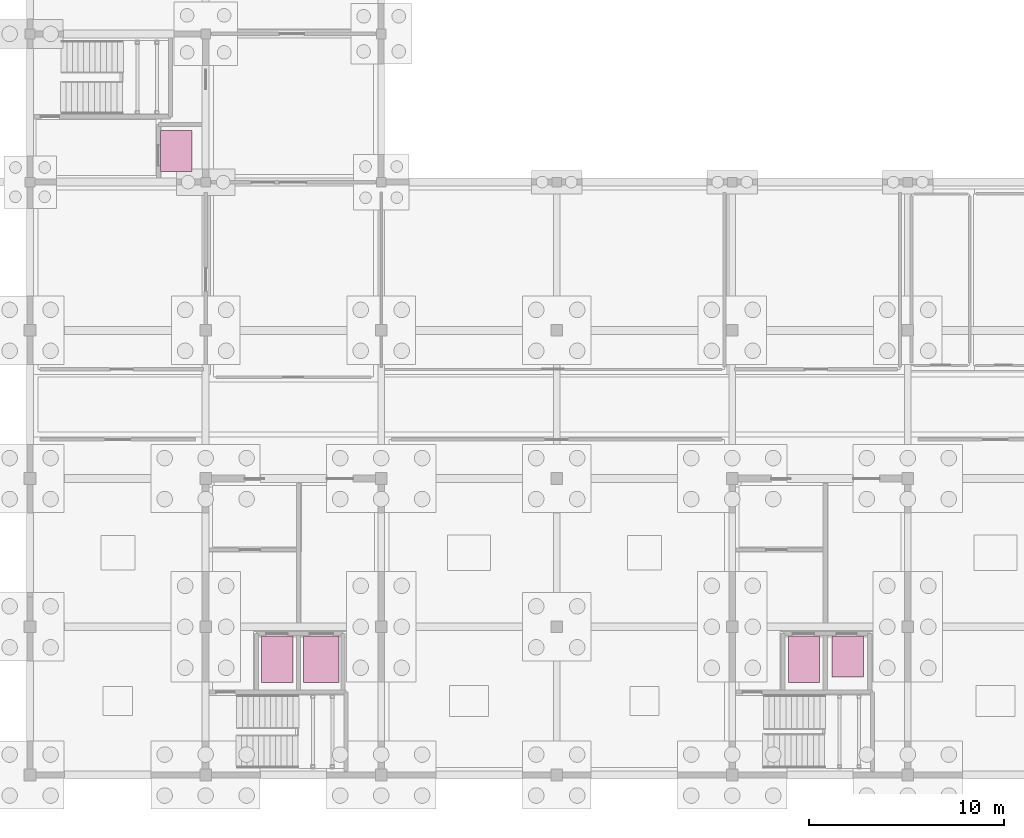
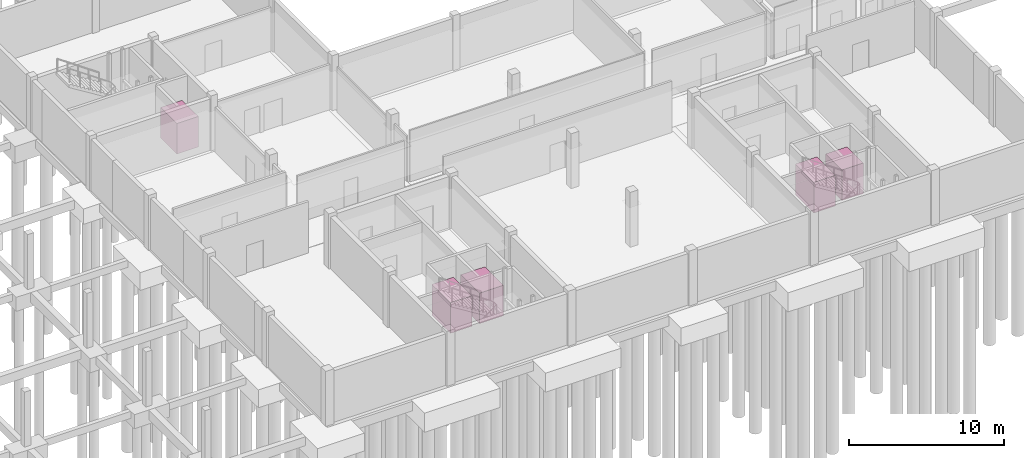
# One storey, part 28 of 28: 5 transport elements.
"""IFC4 building model written with IfcOpenShell, lengths in metres."""

from ifc_helpers import new_model, si_unit, direction, frame, origin, origin_2d, place, context, subcontext, project, spatial, rectangle, extrude, material, type_object, element, save


model = new_model("IFC4")

# Units and contexts
model_context = context("Model", 3, precision=1e-05, world=origin(), true_north=direction((0.0, 1.0)))
body_context = subcontext(model_context, "Body", "Model", "MODEL_VIEW")
ifc_project = project(units=[si_unit("LENGTHUNIT", "METRE"), si_unit("AREAUNIT", "SQUARE_METRE"), si_unit("VOLUMEUNIT", "CUBIC_METRE"), si_unit("PLANEANGLEUNIT", "RADIAN"), si_unit("MASSUNIT", "GRAM", prefix="KILO")], contexts=[model_context])

# Site, building, storey
site_placement = place(None, origin())
site = spatial("IfcSite", under=ifc_project, at=site_placement, CompositionType="ELEMENT")
building_placement = place(site_placement, origin())
building = spatial("IfcBuilding", under=site, at=building_placement, Name="Caisbarro Railhouse Central Library", CompositionType="ELEMENT")
storey_placement = place(building_placement, frame((0.0, 0.0, -4.320068359375)))
storey = spatial("IfcBuildingStorey", under=building, at=storey_placement, Name="B01", CompositionType="ELEMENT", Elevation=-4.320068359375)

# Transport elements
ifc_material = material(Name="Brushed stainless steel elevator cab", Category="steel")
transport_element_type_1 = type_object("IfcTransportElementType", Name="LFT-BK", PredefinedType="ELEVATOR", material=ifc_material)
transport_element_placement = place(storey_placement, frame((68.925048828125, 5.93994140625, 0.0), z_axis=(0.0, 0.0, 1.0), x_axis=(1.0, 0.0, 0.0)))
element("IfcTransportElement", 1, at=transport_element_placement, inside=storey, type_object=transport_element_type_1, Name="Elevator BL-01", PredefinedType="ELEVATOR", context=body_context, shape_type="SweptSolid", body=[
    extrude(rectangle(XDim=1.800048828125, YDim=2.39990234375, at=origin_2d()), origin(), (0.0, 0.0, 1.0), 2.39990234375),
])
transport_element_type_2 = type_object("IfcTransportElementType", Name="LFT-FF", PredefinedType="ELEVATOR", material=ifc_material)
for number, where, z_axis, x_axis, name in (
    (2, (66.675048828125, 5.93994140625, 0.0), (0.0, 0.0, 1.0), (1.0, 0.0, 0.0), "Elevator FL-01"),
    (3, (93.675048828125, 5.93994140625, 0.0), (0.0, 0.0, 1.0), (1.0, 0.0, 0.0), "Elevator FL-02"),
):
    element("IfcTransportElement", number, at=place(storey_placement, frame(where, z_axis=z_axis, x_axis=x_axis)), inside=storey, type_object=transport_element_type_2, Name=name, PredefinedType="ELEVATOR", context=body_context, shape_type="SweptSolid", body=[
        extrude(rectangle(XDim=1.60009765625, YDim=2.39990234375, at=origin_2d()), origin(), (0.0, 0.0, 1.0), 2.39990234375),
    ])
transport_element_type_3 = type_object("IfcTransportElementType", Name="LFT-PS", PredefinedType="ELEVATOR", material=ifc_material)
for number, where, z_axis, x_axis, name in (
    (4, (95.925048828125, 6.090087890625, 0.0), (0.0, 0.0, 1.0), (1.0, 0.0, 0.0), "Elevator PL-01"),
    (5, (61.489990234375, 32.0, 0.0), (0.0, 0.0, 1.0), (1.0, 0.0, 0.0), "Elevator PL-03"),
):
    element("IfcTransportElement", number, at=place(storey_placement, frame(where, z_axis=z_axis, x_axis=x_axis)), inside=storey, type_object=transport_element_type_3, Name=name, PredefinedType="ELEVATOR", context=body_context, shape_type="SweptSolid", body=[
        extrude(rectangle(XDim=1.60009765625, YDim=2.10009765625, at=origin_2d()), origin(), (0.0, 0.0, 1.0), 2.39990234375),
    ])

save(model, "model.ifc")
